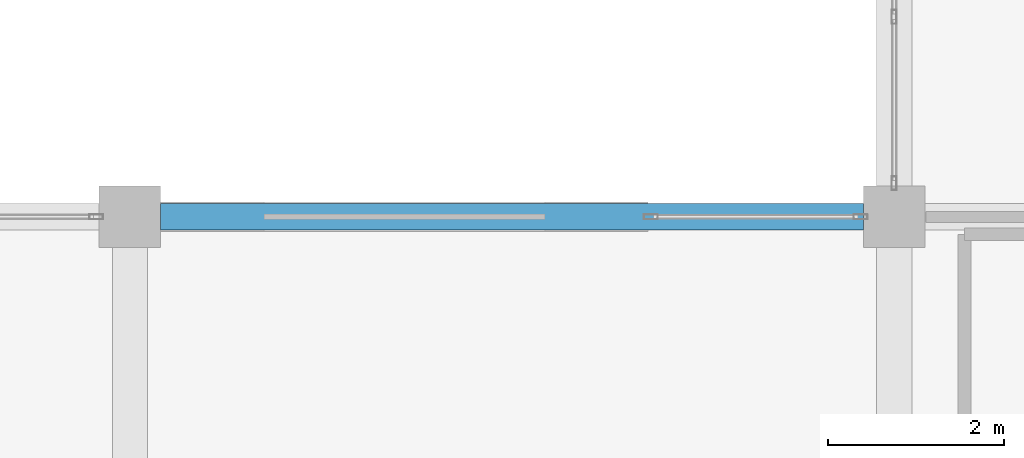
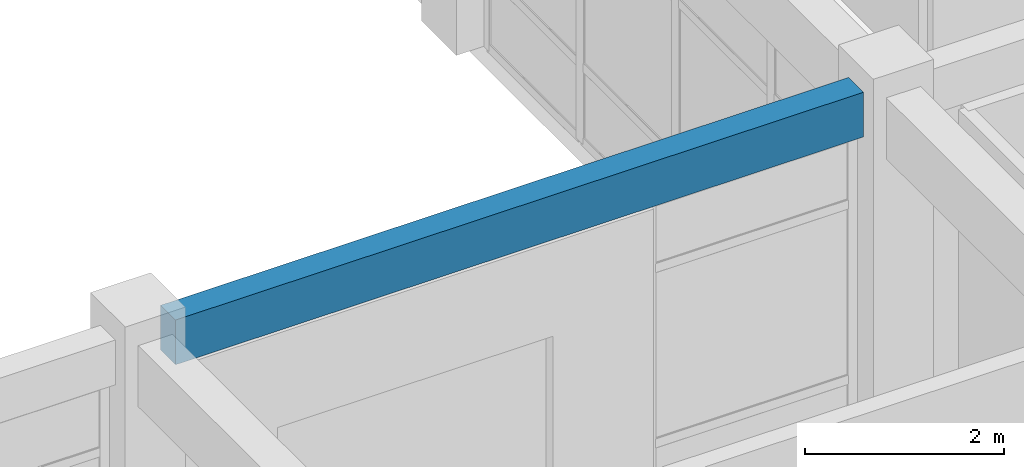
# One storey, part 10 of 64: 1 beam.
"""IFC4 building model written with IfcOpenShell, lengths in metres."""

from ifc_helpers import new_model, si_unit, derived_unit, direction, frame, origin, origin_2d, place, context, subcontext, project, spatial, rectangle, extrude, material, material_profile, profile_set, type_object, element, save


model = new_model("IFC4")

# Units and contexts
model_context = context("Model", 3, precision=1e-05, world=origin(), true_north=direction((0.0, 1.0)))
body_context = subcontext(model_context, "Body", "Model", "MODEL_VIEW")
ifc_project = project(units=[si_unit("LENGTHUNIT", "METRE"), si_unit("AREAUNIT", "SQUARE_METRE"), si_unit("VOLUMEUNIT", "CUBIC_METRE"), si_unit("PLANEANGLEUNIT", "RADIAN"), si_unit("MASSUNIT", "GRAM", prefix="KILO"), derived_unit("THERMALTRANSMITTANCEUNIT", [(si_unit("MASSUNIT", "GRAM", prefix="KILO"), 1), (si_unit("TIMEUNIT", "SECOND"), -3), (si_unit("THERMODYNAMICTEMPERATUREUNIT", "KELVIN"), -1)])], contexts=[model_context])

# Site, building, storey
site_placement = place(None, origin())
site = spatial("IfcSite", under=ifc_project, at=site_placement, CompositionType="ELEMENT")
building_placement = place(site_placement, origin())
building = spatial("IfcBuilding", under=site, at=building_placement, Name="Qinzheling Arcade Emporium", CompositionType="ELEMENT")
storey_placement = place(building_placement, frame((0.0, 0.0, 31.5)))
storey = spatial("IfcBuildingStorey", under=building, at=storey_placement, Name="L07", CompositionType="ELEMENT", Elevation=31.5)

# Beam
ifc_material = material(Name="Concrete C40", Category="concrete")
ifc_material_profile = material_profile(ifc_material, rectangle(XDim=0.300048828125, YDim=0.550048828125, at=origin_2d()), Name="RC 300x550", Category="concrete")
ifc_profile_set = profile_set([ifc_material_profile], Name="Concrete C40")
beam_type = type_object("IfcBeamType", Name="RC Terrace Spandrel Beam 300x550 C40", PredefinedType="SPANDREL", material=ifc_profile_set)
beam_placement = place(storey_placement, frame((26.449951171875, 42.0, 4.2451171875), z_axis=(1.0, 0.0, 0.0), x_axis=(0.0, 1.0, 0.0)))
element("IfcBeam", 1, at=beam_placement, inside=storey, type_object=beam_type, Name="Beam BM-L07-X-F-4", PredefinedType="SPANDREL", context=body_context, shape_type="SweptSolid", body=[
    extrude(rectangle(XDim=0.300048828125, YDim=0.550048828125, at=origin_2d()), origin(), (0.0, 0.0, 1.0), 8.0),
])

save(model, "model.ifc")
